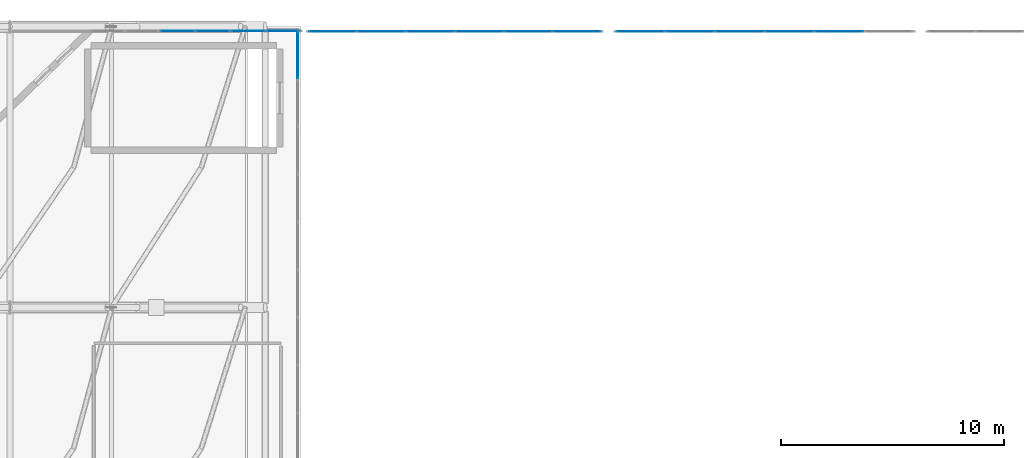
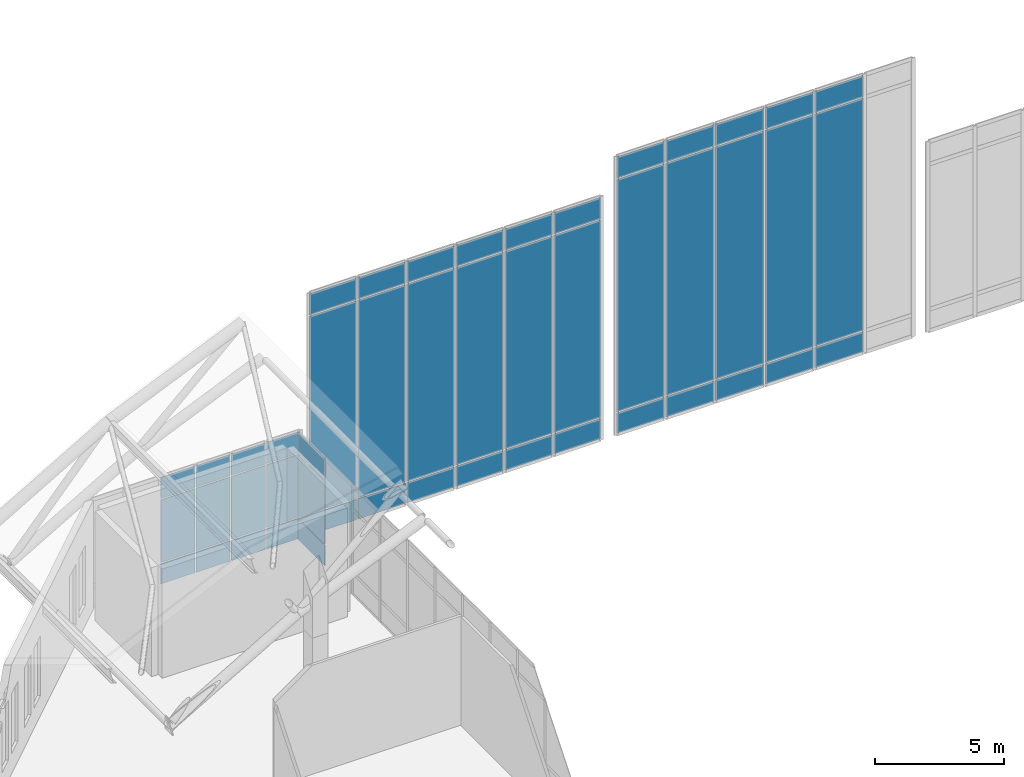
# One storey, part 30 of 42: 48 plates, 4 elements without a shape of their own.
"""IFC4 building model written with IfcOpenShell, lengths in metres."""

from ifc_helpers import new_model, si_unit, derived_unit, direction, frame, origin, origin_2d, place, context, subcontext, project, spatial, rectangle, extrude, material, layer, layer_set, type_object, element, aggregate, save


model = new_model("IFC4")

# Units and contexts
model_context = context("Model", 3, precision=1e-05, world=origin(), true_north=direction((0.0, 1.0)))
body_context = subcontext(model_context, "Body", "Model", "MODEL_VIEW")
ifc_project = project(units=[si_unit("LENGTHUNIT", "METRE"), si_unit("AREAUNIT", "SQUARE_METRE"), si_unit("VOLUMEUNIT", "CUBIC_METRE"), si_unit("PLANEANGLEUNIT", "RADIAN"), si_unit("MASSUNIT", "GRAM", prefix="KILO"), derived_unit("THERMALTRANSMITTANCEUNIT", [(si_unit("MASSUNIT", "GRAM", prefix="KILO"), 1), (si_unit("TIMEUNIT", "SECOND"), -3), (si_unit("THERMODYNAMICTEMPERATUREUNIT", "KELVIN"), -1)])], contexts=[model_context])

# Site, building, storey
site_placement = place(None, origin())
site = spatial("IfcSite", under=ifc_project, at=site_placement, CompositionType="ELEMENT")
building_placement = place(site_placement, origin())
building = spatial("IfcBuilding", under=site, at=building_placement, Name="Valcora Ridge Arena", CompositionType="ELEMENT")
storey_placement = place(building_placement, frame((0.0, 0.0, 26.39990234375)))
storey = spatial("IfcBuildingStorey", under=building, at=storey_placement, Name="L05", CompositionType="ELEMENT", Elevation=26.39990234375)

# Curtain wall, plates
ifc_material_1 = material(Name="Anodised dark bronze architectural aluminium 6063-T6", Category="aluminium")
ifc_layer_1 = layer(ifc_material_1, 0.179931640625, Name="Anodised dark bronze architectural aluminium 6063-T6")
ifc_layer_set_1 = layer_set([ifc_layer_1], Name="Anodised dark bronze architectural aluminium 6063-T6")
curtain_wall_type_1 = type_object("IfcCurtainWallType", Name="TY-CURTAINWALL-CW-V1-GOTH-095X52", PredefinedType="NOTDEFINED", material=ifc_layer_set_1)
curtain_wall_1_placement = place(storey_placement, origin())
curtain_wall_1 = element("IfcCurtainWall", 1, at=curtain_wall_1_placement, inside=storey, type_object=curtain_wall_type_1, Name="CW-V1-GOTH-095X52 CW-0170", PredefinedType="NOTDEFINED")
ifc_material_2 = material(Name="Low-iron solar-control double glazing SHGC 0.28", Category="glass")
ifc_layer_2 = layer(ifc_material_2, 0.031982421875, Name="Low-iron solar-control double glazing SHGC 0.28")
ifc_layer_set_2 = layer_set([ifc_layer_2], Name="Low-iron solar-control double glazing SHGC 0.28")
plate_type_1 = type_object("IfcPlateType", Name="TY-PLT-CWP-1493X0960", PredefinedType="CURTAIN_PANEL", material=ifc_layer_set_2)
plate_1_placement = place(storey_placement, frame((37.693603515625, 108.0, 0.06005859375), z_axis=(0.0, 0.0, 1.0), x_axis=(1.0, 0.0, 0.0)))
plate_1 = element("IfcPlate", 2, at=plate_1_placement, type_object=plate_type_1, Name="CW-0170/P05-00", PredefinedType="CURTAIN_PANEL", context=body_context, shape_type="SweptSolid", body=[
    extrude(rectangle(XDim=1.492919921875, YDim=0.031982421875, at=origin_2d()), origin(), (0.0, 0.0, 1.0), 0.9599609375),
])
ifc_layer_3 = layer(ifc_material_2, 0.031982421875, Name="Low-iron solar-control double glazing SHGC 0.28")
ifc_layer_set_3 = layer_set([ifc_layer_3], Name="Low-iron solar-control double glazing SHGC 0.28")
plate_type_2 = type_object("IfcPlateType", Name="TY-PLT-CWP-1493X1010", PredefinedType="CURTAIN_PANEL", material=ifc_layer_set_3)
plate_2_placement = place(storey_placement, frame((37.693603515625, 108.0, 4.10986328125), z_axis=(0.0, 0.0, 1.0), x_axis=(1.0, 0.0, 0.0)))
plate_2 = element("IfcPlate", 3, at=plate_2_placement, type_object=plate_type_2, Name="CW-0170/P05-02", PredefinedType="CURTAIN_PANEL", context=body_context, shape_type="SweptSolid", body=[
    extrude(rectangle(XDim=1.492919921875, YDim=0.031982421875, at=origin_2d()), origin(), (0.0, 0.0, 1.0), 1.010009765625),
])
ifc_layer_4 = layer(ifc_material_2, 0.031982421875, Name="Low-iron solar-control double glazing SHGC 0.28")
ifc_layer_set_4 = layer_set([ifc_layer_4], Name="Low-iron solar-control double glazing SHGC 0.28")
plate_type_3 = type_object("IfcPlateType", Name="TY-PLT-CWP-1493X2970", PredefinedType="CURTAIN_PANEL", material=ifc_layer_set_4)
plate_3_placement = place(storey_placement, frame((37.693603515625, 108.0, 1.080078125), z_axis=(0.0, 0.0, 1.0), x_axis=(1.0, 0.0, 0.0)))
plate_3 = element("IfcPlate", 4, at=plate_3_placement, type_object=plate_type_3, Name="CW-0170/P05-01", PredefinedType="CURTAIN_PANEL", context=body_context, shape_type="SweptSolid", body=[
    extrude(rectangle(XDim=1.492919921875, YDim=0.031982421875, at=origin_2d()), origin(), (0.0, 0.0, 1.0), 2.969970703125),
])
ifc_layer_5 = layer(ifc_material_2, 0.031982421875, Name="Low-iron solar-control double glazing SHGC 0.28")
ifc_layer_set_5 = layer_set([ifc_layer_5], Name="Low-iron solar-control double glazing SHGC 0.28")
plate_type_4 = type_object("IfcPlateType", Name="TY-PLT-CWP-1523X0960", PredefinedType="CURTAIN_PANEL", material=ifc_layer_set_5)
plate_4_placement = place(storey_placement, frame((32.95849609375, 108.0, 0.06005859375), z_axis=(0.0, 0.0, 1.0), x_axis=(1.0, 0.0, 0.0)))
plate_4 = element("IfcPlate", 5, at=plate_4_placement, type_object=plate_type_4, Name="CW-0170/P02-00", PredefinedType="CURTAIN_PANEL", context=body_context, shape_type="SweptSolid", body=[
    extrude(rectangle(XDim=1.52294921875, YDim=0.031982421875, at=origin_2d()), origin(), (0.0, 0.0, 1.0), 0.9599609375),
])
plate_5_placement = place(storey_placement, frame((34.54150390625, 108.0, 0.06005859375), z_axis=(0.0, 0.0, 1.0), x_axis=(1.0, 0.0, 0.0)))
plate_5 = element("IfcPlate", 6, at=plate_5_placement, type_object=plate_type_4, Name="CW-0170/P03-00", PredefinedType="CURTAIN_PANEL", context=body_context, shape_type="SweptSolid", body=[
    extrude(rectangle(XDim=1.52294921875, YDim=0.031982421875, at=origin_2d()), origin(), (0.0, 0.0, 1.0), 0.9599609375),
])
ifc_layer_6 = layer(ifc_material_2, 0.031982421875, Name="Low-iron solar-control double glazing SHGC 0.28")
ifc_layer_set_6 = layer_set([ifc_layer_6], Name="Low-iron solar-control double glazing SHGC 0.28")
plate_type_5 = type_object("IfcPlateType", Name="TY-PLT-CWP-1523X1010", PredefinedType="CURTAIN_PANEL", material=ifc_layer_set_6)
plate_6_placement = place(storey_placement, frame((32.95849609375, 108.0, 4.10986328125), z_axis=(0.0, 0.0, 1.0), x_axis=(1.0, 0.0, 0.0)))
plate_6 = element("IfcPlate", 7, at=plate_6_placement, type_object=plate_type_5, Name="CW-0170/P02-02", PredefinedType="CURTAIN_PANEL", context=body_context, shape_type="SweptSolid", body=[
    extrude(rectangle(XDim=1.52294921875, YDim=0.031982421875, at=origin_2d()), origin(), (0.0, 0.0, 1.0), 1.010009765625),
])
plate_7_placement = place(storey_placement, frame((34.54150390625, 108.0, 4.10986328125), z_axis=(0.0, 0.0, 1.0), x_axis=(1.0, 0.0, 0.0)))
plate_7 = element("IfcPlate", 8, at=plate_7_placement, type_object=plate_type_5, Name="CW-0170/P03-02", PredefinedType="CURTAIN_PANEL", context=body_context, shape_type="SweptSolid", body=[
    extrude(rectangle(XDim=1.52294921875, YDim=0.031982421875, at=origin_2d()), origin(), (0.0, 0.0, 1.0), 1.010009765625),
])
ifc_layer_7 = layer(ifc_material_2, 0.031982421875, Name="Low-iron solar-control double glazing SHGC 0.28")
ifc_layer_set_7 = layer_set([ifc_layer_7], Name="Low-iron solar-control double glazing SHGC 0.28")
plate_type_6 = type_object("IfcPlateType", Name="TY-PLT-CWP-1523X2970", PredefinedType="CURTAIN_PANEL", material=ifc_layer_set_7)
plate_8_placement = place(storey_placement, frame((32.95849609375, 108.0, 1.080078125), z_axis=(0.0, 0.0, 1.0), x_axis=(1.0, 0.0, 0.0)))
plate_8 = element("IfcPlate", 9, at=plate_8_placement, type_object=plate_type_6, Name="CW-0170/P02-01", PredefinedType="CURTAIN_PANEL", context=body_context, shape_type="SweptSolid", body=[
    extrude(rectangle(XDim=1.52294921875, YDim=0.031982421875, at=origin_2d()), origin(), (0.0, 0.0, 1.0), 2.969970703125),
])
plate_9_placement = place(storey_placement, frame((34.54150390625, 108.0, 1.080078125), z_axis=(0.0, 0.0, 1.0), x_axis=(1.0, 0.0, 0.0)))
plate_9 = element("IfcPlate", 10, at=plate_9_placement, type_object=plate_type_6, Name="CW-0170/P03-01", PredefinedType="CURTAIN_PANEL", context=body_context, shape_type="SweptSolid", body=[
    extrude(rectangle(XDim=1.52294921875, YDim=0.031982421875, at=origin_2d()), origin(), (0.0, 0.0, 1.0), 2.969970703125),
])
ifc_layer_8 = layer(ifc_material_2, 0.031982421875, Name="Low-iron solar-control double glazing SHGC 0.28")
ifc_layer_set_8 = layer_set([ifc_layer_8], Name="Low-iron solar-control double glazing SHGC 0.28")
plate_type_7 = type_object("IfcPlateType", Name="TY-PLT-CWP-1524X0960", PredefinedType="CURTAIN_PANEL", material=ifc_layer_set_8)
plate_10_placement = place(storey_placement, frame((36.125, 108.0, 0.06005859375), z_axis=(0.0, 0.0, 1.0), x_axis=(1.0, 0.0, 0.0)))
plate_10 = element("IfcPlate", 11, at=plate_10_placement, type_object=plate_type_7, Name="CW-0170/P04-00", PredefinedType="CURTAIN_PANEL", context=body_context, shape_type="SweptSolid", body=[
    extrude(rectangle(XDim=1.52392578125, YDim=0.031982421875, at=origin_2d()), origin(), (0.0, 0.0, 1.0), 0.9599609375),
])
ifc_layer_9 = layer(ifc_material_2, 0.031982421875, Name="Low-iron solar-control double glazing SHGC 0.28")
ifc_layer_set_9 = layer_set([ifc_layer_9], Name="Low-iron solar-control double glazing SHGC 0.28")
plate_type_8 = type_object("IfcPlateType", Name="TY-PLT-CWP-1524X1010", PredefinedType="CURTAIN_PANEL", material=ifc_layer_set_9)
plate_11_placement = place(storey_placement, frame((36.125, 108.0, 4.10986328125), z_axis=(0.0, 0.0, 1.0), x_axis=(1.0, 0.0, 0.0)))
plate_11 = element("IfcPlate", 12, at=plate_11_placement, type_object=plate_type_8, Name="CW-0170/P04-02", PredefinedType="CURTAIN_PANEL", context=body_context, shape_type="SweptSolid", body=[
    extrude(rectangle(XDim=1.52392578125, YDim=0.031982421875, at=origin_2d()), origin(), (0.0, 0.0, 1.0), 1.010009765625),
])
ifc_layer_10 = layer(ifc_material_2, 0.031982421875, Name="Low-iron solar-control double glazing SHGC 0.28")
ifc_layer_set_10 = layer_set([ifc_layer_10], Name="Low-iron solar-control double glazing SHGC 0.28")
plate_type_9 = type_object("IfcPlateType", Name="TY-PLT-CWP-1524X2970", PredefinedType="CURTAIN_PANEL", material=ifc_layer_set_10)
plate_12_placement = place(storey_placement, frame((36.125, 108.0, 1.080078125), z_axis=(0.0, 0.0, 1.0), x_axis=(1.0, 0.0, 0.0)))
plate_12 = element("IfcPlate", 13, at=plate_12_placement, type_object=plate_type_9, Name="CW-0170/P04-01", PredefinedType="CURTAIN_PANEL", context=body_context, shape_type="SweptSolid", body=[
    extrude(rectangle(XDim=1.52392578125, YDim=0.031982421875, at=origin_2d()), origin(), (0.0, 0.0, 1.0), 2.969970703125),
])
aggregate(curtain_wall_1, [plate_4, plate_8, plate_6, plate_5, plate_9, plate_7, plate_10, plate_12, plate_11, plate_1, plate_3, plate_2])

ifc_layer_11 = layer(ifc_material_1, 0.14990234375, Name="Anodised dark bronze architectural aluminium 6063-T6")
ifc_layer_set_11 = layer_set([ifc_layer_11], Name="Anodised dark bronze architectural aluminium 6063-T6")
curtain_wall_type_2 = type_object("IfcCurtainWallType", Name="TY-CURTAINWALL-CW-V1-SKY-878X52", PredefinedType="NOTDEFINED", material=ifc_layer_set_11)
curtain_wall_2_placement = place(storey_placement, origin())
curtain_wall_2 = element("IfcCurtainWall", 14, at=curtain_wall_2_placement, inside=storey, type_object=curtain_wall_type_2, Name="CW-V1-SKY-878X52 CW-0171", PredefinedType="NOTDEFINED")
ifc_layer_12 = layer(ifc_material_2, 0.028076171875, Name="Low-iron solar-control double glazing SHGC 0.28")
ifc_layer_set_12 = layer_set([ifc_layer_12], Name="Low-iron solar-control double glazing SHGC 0.28")
plate_type_10 = type_object("IfcPlateType", Name="TY-PLT-CWP-2066X0975", PredefinedType="CURTAIN_PANEL", material=ifc_layer_set_12)
plate_13_placement = place(storey_placement, frame((38.35009765625, 106.9169921875, 0.050048828125), z_axis=(0.0, 0.0, 1.0), x_axis=(0.0, 1.0, 0.0)))
plate_13 = element("IfcPlate", 15, at=plate_13_placement, type_object=plate_type_10, Name="CW-0171/P40-00", PredefinedType="CURTAIN_PANEL", context=body_context, shape_type="SweptSolid", body=[
    extrude(rectangle(XDim=2.06591796875, YDim=0.028076171875, at=origin_2d()), origin(), (0.0, 0.0, 1.0), 0.97509765625),
])
ifc_layer_13 = layer(ifc_material_2, 0.028076171875, Name="Low-iron solar-control double glazing SHGC 0.28")
ifc_layer_set_13 = layer_set([ifc_layer_13], Name="Low-iron solar-control double glazing SHGC 0.28")
plate_type_11 = type_object("IfcPlateType", Name="TY-PLT-CWP-2066X1025", PredefinedType="CURTAIN_PANEL", material=ifc_layer_set_13)
plate_14_placement = place(storey_placement, frame((38.35009765625, 106.9169921875, 4.105224609375), z_axis=(0.0, 0.0, 1.0), x_axis=(0.0, 1.0, 0.0)))
plate_14 = element("IfcPlate", 16, at=plate_14_placement, type_object=plate_type_11, Name="CW-0171/P40-02", PredefinedType="CURTAIN_PANEL", context=body_context, shape_type="SweptSolid", body=[
    extrude(rectangle(XDim=2.06591796875, YDim=0.028076171875, at=origin_2d()), origin(), (0.0, 0.0, 1.0), 1.02490234375),
])
ifc_layer_14 = layer(ifc_material_2, 0.028076171875, Name="Low-iron solar-control double glazing SHGC 0.28")
ifc_layer_set_14 = layer_set([ifc_layer_14], Name="Low-iron solar-control double glazing SHGC 0.28")
plate_type_12 = type_object("IfcPlateType", Name="TY-PLT-CWP-2066X2980", PredefinedType="CURTAIN_PANEL", material=ifc_layer_set_14)
plate_15_placement = place(storey_placement, frame((38.35009765625, 106.9169921875, 1.0751953125), z_axis=(0.0, 0.0, 1.0), x_axis=(0.0, 1.0, 0.0)))
plate_15 = element("IfcPlate", 17, at=plate_15_placement, type_object=plate_type_12, Name="CW-0171/P40-01", PredefinedType="CURTAIN_PANEL", context=body_context, shape_type="SweptSolid", body=[
    extrude(rectangle(XDim=2.06591796875, YDim=0.028076171875, at=origin_2d()), origin(), (0.0, 0.0, 1.0), 2.97998046875),
])
aggregate(curtain_wall_2, [plate_13, plate_15, plate_14])

ifc_layer_15 = layer(ifc_material_1, 0.179931640625, Name="Anodised dark bronze architectural aluminium 6063-T6")
ifc_layer_set_15 = layer_set([ifc_layer_15], Name="Anodised dark bronze architectural aluminium 6063-T6")
curtain_wall_type_3 = type_object("IfcCurtainWallType", Name="TY-CURTAINWALL-CW-V1-TYMPN-132X116", PredefinedType="NOTDEFINED", material=ifc_layer_set_15)
curtain_wall_3_placement = place(storey_placement, origin())
curtain_wall_3 = element("IfcCurtainWall", 18, at=curtain_wall_3_placement, inside=storey, type_object=curtain_wall_type_3, Name="CW-V1-TYMPN-132X116 CW-0173", PredefinedType="NOTDEFINED")
ifc_layer_16 = layer(ifc_material_2, 0.031982421875, Name="Low-iron solar-control double glazing SHGC 0.28")
ifc_layer_set_16 = layer_set([ifc_layer_16], Name="Low-iron solar-control double glazing SHGC 0.28")
plate_type_13 = type_object("IfcPlateType", Name="TY-PLT-CWP-2110X0960", PredefinedType="CURTAIN_PANEL", material=ifc_layer_set_16)
plate_16_placement = place(storey_placement, frame((39.9150390625, 107.97998046875, 0.06005859375), z_axis=(0.0, 0.0, 1.0), x_axis=(1.0, 0.0, 0.0)))
plate_16 = element("IfcPlate", 19, at=plate_16_placement, type_object=plate_type_13, Name="CW-0173/P00-00", PredefinedType="CURTAIN_PANEL", context=body_context, shape_type="SweptSolid", body=[
    extrude(rectangle(XDim=2.110107421875, YDim=0.031982421875, at=origin_2d()), origin(), (0.0, 0.0, 1.0), 0.9599609375),
])
plate_17_placement = place(storey_placement, frame((50.885009765625, 107.97998046875, 0.06005859375), z_axis=(0.0, 0.0, 1.0), x_axis=(1.0, 0.0, 0.0)))
plate_17 = element("IfcPlate", 20, at=plate_17_placement, type_object=plate_type_13, Name="CW-0173/P05-00", PredefinedType="CURTAIN_PANEL", context=body_context, shape_type="SweptSolid", body=[
    extrude(rectangle(XDim=2.110107421875, YDim=0.031982421875, at=origin_2d()), origin(), (0.0, 0.0, 1.0), 0.9599609375),
])
ifc_layer_17 = layer(ifc_material_2, 0.031982421875, Name="Low-iron solar-control double glazing SHGC 0.28")
ifc_layer_set_17 = layer_set([ifc_layer_17], Name="Low-iron solar-control double glazing SHGC 0.28")
plate_type_14 = type_object("IfcPlateType", Name="TY-PLT-CWP-2110X1010", PredefinedType="CURTAIN_PANEL", material=ifc_layer_set_17)
plate_18_placement = place(storey_placement, frame((39.9150390625, 107.97998046875, 10.50732421875), z_axis=(0.0, 0.0, 1.0), x_axis=(1.0, 0.0, 0.0)))
plate_18 = element("IfcPlate", 21, at=plate_18_placement, type_object=plate_type_14, Name="CW-0173/P00-02", PredefinedType="CURTAIN_PANEL", context=body_context, shape_type="SweptSolid", body=[
    extrude(rectangle(XDim=2.110107421875, YDim=0.031982421875, at=origin_2d()), origin(), (0.0, 0.0, 1.0), 1.010009765625),
])
plate_19_placement = place(storey_placement, frame((50.885009765625, 107.97998046875, 10.50732421875), z_axis=(0.0, 0.0, 1.0), x_axis=(1.0, 0.0, 0.0)))
plate_19 = element("IfcPlate", 22, at=plate_19_placement, type_object=plate_type_14, Name="CW-0173/P05-02", PredefinedType="CURTAIN_PANEL", context=body_context, shape_type="SweptSolid", body=[
    extrude(rectangle(XDim=2.110107421875, YDim=0.031982421875, at=origin_2d()), origin(), (0.0, 0.0, 1.0), 1.010009765625),
])
ifc_layer_18 = layer(ifc_material_2, 0.031982421875, Name="Low-iron solar-control double glazing SHGC 0.28")
ifc_layer_set_18 = layer_set([ifc_layer_18], Name="Low-iron solar-control double glazing SHGC 0.28")
plate_type_15 = type_object("IfcPlateType", Name="TY-PLT-CWP-2110X9367", PredefinedType="CURTAIN_PANEL", material=ifc_layer_set_18)
plate_20_placement = place(storey_placement, frame((39.9150390625, 107.97998046875, 1.080078125), z_axis=(0.0, 0.0, 1.0), x_axis=(1.0, 0.0, 0.0)))
plate_20 = element("IfcPlate", 23, at=plate_20_placement, type_object=plate_type_15, Name="CW-0173/P00-01", PredefinedType="CURTAIN_PANEL", context=body_context, shape_type="SweptSolid", body=[
    extrude(rectangle(XDim=2.110107421875, YDim=0.031982421875, at=origin_2d()), origin(), (0.0, 0.0, 1.0), 9.366943359375),
])
plate_21_placement = place(storey_placement, frame((50.885009765625, 107.97998046875, 1.080078125), z_axis=(0.0, 0.0, 1.0), x_axis=(1.0, 0.0, 0.0)))
plate_21 = element("IfcPlate", 24, at=plate_21_placement, type_object=plate_type_15, Name="CW-0173/P05-01", PredefinedType="CURTAIN_PANEL", context=body_context, shape_type="SweptSolid", body=[
    extrude(rectangle(XDim=2.110107421875, YDim=0.031982421875, at=origin_2d()), origin(), (0.0, 0.0, 1.0), 9.366943359375),
])
ifc_layer_19 = layer(ifc_material_2, 0.031982421875, Name="Low-iron solar-control double glazing SHGC 0.28")
ifc_layer_set_19 = layer_set([ifc_layer_19], Name="Low-iron solar-control double glazing SHGC 0.28")
plate_type_16 = type_object("IfcPlateType", Name="TY-PLT-CWP-2140X0960", PredefinedType="CURTAIN_PANEL", material=ifc_layer_set_19)
plate_22_placement = place(storey_placement, frame((42.10009765625, 107.97998046875, 0.06005859375), z_axis=(0.0, 0.0, 1.0), x_axis=(1.0, 0.0, 0.0)))
plate_22 = element("IfcPlate", 25, at=plate_22_placement, type_object=plate_type_16, Name="CW-0173/P01-00", PredefinedType="CURTAIN_PANEL", context=body_context, shape_type="SweptSolid", body=[
    extrude(rectangle(XDim=2.139892578125, YDim=0.031982421875, at=origin_2d()), origin(), (0.0, 0.0, 1.0), 0.9599609375),
])
plate_23_placement = place(storey_placement, frame((44.300048828125, 107.97998046875, 0.06005859375), z_axis=(0.0, 0.0, 1.0), x_axis=(1.0, 0.0, 0.0)))
plate_23 = element("IfcPlate", 26, at=plate_23_placement, type_object=plate_type_16, Name="CW-0173/P02-00", PredefinedType="CURTAIN_PANEL", context=body_context, shape_type="SweptSolid", body=[
    extrude(rectangle(XDim=2.139892578125, YDim=0.031982421875, at=origin_2d()), origin(), (0.0, 0.0, 1.0), 0.9599609375),
])
plate_24_placement = place(storey_placement, frame((46.5, 107.97998046875, 0.06005859375), z_axis=(0.0, 0.0, 1.0), x_axis=(1.0, 0.0, 0.0)))
plate_24 = element("IfcPlate", 27, at=plate_24_placement, type_object=plate_type_16, Name="CW-0173/P03-00", PredefinedType="CURTAIN_PANEL", context=body_context, shape_type="SweptSolid", body=[
    extrude(rectangle(XDim=2.139892578125, YDim=0.031982421875, at=origin_2d()), origin(), (0.0, 0.0, 1.0), 0.9599609375),
])
plate_25_placement = place(storey_placement, frame((48.699951171875, 107.97998046875, 0.06005859375), z_axis=(0.0, 0.0, 1.0), x_axis=(1.0, 0.0, 0.0)))
plate_25 = element("IfcPlate", 28, at=plate_25_placement, type_object=plate_type_16, Name="CW-0173/P04-00", PredefinedType="CURTAIN_PANEL", context=body_context, shape_type="SweptSolid", body=[
    extrude(rectangle(XDim=2.139892578125, YDim=0.031982421875, at=origin_2d()), origin(), (0.0, 0.0, 1.0), 0.9599609375),
])
ifc_layer_20 = layer(ifc_material_2, 0.031982421875, Name="Low-iron solar-control double glazing SHGC 0.28")
ifc_layer_set_20 = layer_set([ifc_layer_20], Name="Low-iron solar-control double glazing SHGC 0.28")
plate_type_17 = type_object("IfcPlateType", Name="TY-PLT-CWP-2140X1010", PredefinedType="CURTAIN_PANEL", material=ifc_layer_set_20)
plate_26_placement = place(storey_placement, frame((42.10009765625, 107.97998046875, 10.50732421875), z_axis=(0.0, 0.0, 1.0), x_axis=(1.0, 0.0, 0.0)))
plate_26 = element("IfcPlate", 29, at=plate_26_placement, type_object=plate_type_17, Name="CW-0173/P01-02", PredefinedType="CURTAIN_PANEL", context=body_context, shape_type="SweptSolid", body=[
    extrude(rectangle(XDim=2.139892578125, YDim=0.031982421875, at=origin_2d()), origin(), (0.0, 0.0, 1.0), 1.010009765625),
])
plate_27_placement = place(storey_placement, frame((44.300048828125, 107.97998046875, 10.50732421875), z_axis=(0.0, 0.0, 1.0), x_axis=(1.0, 0.0, 0.0)))
plate_27 = element("IfcPlate", 30, at=plate_27_placement, type_object=plate_type_17, Name="CW-0173/P02-02", PredefinedType="CURTAIN_PANEL", context=body_context, shape_type="SweptSolid", body=[
    extrude(rectangle(XDim=2.139892578125, YDim=0.031982421875, at=origin_2d()), origin(), (0.0, 0.0, 1.0), 1.010009765625),
])
plate_28_placement = place(storey_placement, frame((46.5, 107.97998046875, 10.50732421875), z_axis=(0.0, 0.0, 1.0), x_axis=(1.0, 0.0, 0.0)))
plate_28 = element("IfcPlate", 31, at=plate_28_placement, type_object=plate_type_17, Name="CW-0173/P03-02", PredefinedType="CURTAIN_PANEL", context=body_context, shape_type="SweptSolid", body=[
    extrude(rectangle(XDim=2.139892578125, YDim=0.031982421875, at=origin_2d()), origin(), (0.0, 0.0, 1.0), 1.010009765625),
])
plate_29_placement = place(storey_placement, frame((48.699951171875, 107.97998046875, 10.50732421875), z_axis=(0.0, 0.0, 1.0), x_axis=(1.0, 0.0, 0.0)))
plate_29 = element("IfcPlate", 32, at=plate_29_placement, type_object=plate_type_17, Name="CW-0173/P04-02", PredefinedType="CURTAIN_PANEL", context=body_context, shape_type="SweptSolid", body=[
    extrude(rectangle(XDim=2.139892578125, YDim=0.031982421875, at=origin_2d()), origin(), (0.0, 0.0, 1.0), 1.010009765625),
])
ifc_layer_21 = layer(ifc_material_2, 0.031982421875, Name="Low-iron solar-control double glazing SHGC 0.28")
ifc_layer_set_21 = layer_set([ifc_layer_21], Name="Low-iron solar-control double glazing SHGC 0.28")
plate_type_18 = type_object("IfcPlateType", Name="TY-PLT-CWP-2140X9367", PredefinedType="CURTAIN_PANEL", material=ifc_layer_set_21)
plate_30_placement = place(storey_placement, frame((42.10009765625, 107.97998046875, 1.080078125), z_axis=(0.0, 0.0, 1.0), x_axis=(1.0, 0.0, 0.0)))
plate_30 = element("IfcPlate", 33, at=plate_30_placement, type_object=plate_type_18, Name="CW-0173/P01-01", PredefinedType="CURTAIN_PANEL", context=body_context, shape_type="SweptSolid", body=[
    extrude(rectangle(XDim=2.139892578125, YDim=0.031982421875, at=origin_2d()), origin(), (0.0, 0.0, 1.0), 9.366943359375),
])
plate_31_placement = place(storey_placement, frame((44.300048828125, 107.97998046875, 1.080078125), z_axis=(0.0, 0.0, 1.0), x_axis=(1.0, 0.0, 0.0)))
plate_31 = element("IfcPlate", 34, at=plate_31_placement, type_object=plate_type_18, Name="CW-0173/P02-01", PredefinedType="CURTAIN_PANEL", context=body_context, shape_type="SweptSolid", body=[
    extrude(rectangle(XDim=2.139892578125, YDim=0.031982421875, at=origin_2d()), origin(), (0.0, 0.0, 1.0), 9.366943359375),
])
plate_32_placement = place(storey_placement, frame((46.5, 107.97998046875, 1.080078125), z_axis=(0.0, 0.0, 1.0), x_axis=(1.0, 0.0, 0.0)))
plate_32 = element("IfcPlate", 35, at=plate_32_placement, type_object=plate_type_18, Name="CW-0173/P03-01", PredefinedType="CURTAIN_PANEL", context=body_context, shape_type="SweptSolid", body=[
    extrude(rectangle(XDim=2.139892578125, YDim=0.031982421875, at=origin_2d()), origin(), (0.0, 0.0, 1.0), 9.366943359375),
])
plate_33_placement = place(storey_placement, frame((48.699951171875, 107.97998046875, 1.080078125), z_axis=(0.0, 0.0, 1.0), x_axis=(1.0, 0.0, 0.0)))
plate_33 = element("IfcPlate", 36, at=plate_33_placement, type_object=plate_type_18, Name="CW-0173/P04-01", PredefinedType="CURTAIN_PANEL", context=body_context, shape_type="SweptSolid", body=[
    extrude(rectangle(XDim=2.139892578125, YDim=0.031982421875, at=origin_2d()), origin(), (0.0, 0.0, 1.0), 9.366943359375),
])
aggregate(curtain_wall_3, [plate_16, plate_20, plate_18, plate_22, plate_30, plate_26, plate_23, plate_31, plate_27, plate_24, plate_32, plate_28, plate_25, plate_33, plate_29, plate_17, plate_21, plate_19])

ifc_layer_22 = layer(ifc_material_1, 0.179931640625, Name="Anodised dark bronze architectural aluminium 6063-T6")
ifc_layer_set_22 = layer_set([ifc_layer_22], Name="Anodised dark bronze architectural aluminium 6063-T6")
curtain_wall_type_4 = type_object("IfcCurtainWallType", Name="TY-CURTAINWALL-CW-V1-TYMPN-134X132", PredefinedType="NOTDEFINED", material=ifc_layer_set_22)
curtain_wall_4_placement = place(storey_placement, origin())
curtain_wall_4 = element("IfcCurtainWall", 37, at=curtain_wall_4_placement, inside=storey, type_object=curtain_wall_type_4, Name="CW-V1-TYMPN-134X132 CW-0175", PredefinedType="NOTDEFINED")
ifc_layer_23 = layer(ifc_material_2, 0.031982421875, Name="Low-iron solar-control double glazing SHGC 0.28")
ifc_layer_set_23 = layer_set([ifc_layer_23], Name="Low-iron solar-control double glazing SHGC 0.28")
plate_type_19 = type_object("IfcPlateType", Name="TY-PLT-CWP-2143X0960", PredefinedType="CURTAIN_PANEL", material=ifc_layer_set_23)
plate_34_placement = place(storey_placement, frame((53.7314453125, 107.97998046875, 0.06005859375), z_axis=(0.0, 0.0, 1.0), x_axis=(1.0, 0.0, 0.0)))
plate_34 = element("IfcPlate", 38, at=plate_34_placement, type_object=plate_type_19, Name="CW-0175/P00-00", PredefinedType="CURTAIN_PANEL", context=body_context, shape_type="SweptSolid", body=[
    extrude(rectangle(XDim=2.14306640625, YDim=0.031982421875, at=origin_2d()), origin(), (0.0, 0.0, 1.0), 0.9599609375),
])
ifc_layer_24 = layer(ifc_material_2, 0.031982421875, Name="Low-iron solar-control double glazing SHGC 0.28")
ifc_layer_set_24 = layer_set([ifc_layer_24], Name="Low-iron solar-control double glazing SHGC 0.28")
plate_type_20 = type_object("IfcPlateType", Name="TY-PLT-CWP-2143X1010", PredefinedType="CURTAIN_PANEL", material=ifc_layer_set_24)
plate_35_placement = place(storey_placement, frame((53.7314453125, 107.97998046875, 12.169921875), z_axis=(0.0, 0.0, 1.0), x_axis=(1.0, 0.0, 0.0)))
plate_35 = element("IfcPlate", 39, at=plate_35_placement, type_object=plate_type_20, Name="CW-0175/P00-02", PredefinedType="CURTAIN_PANEL", context=body_context, shape_type="SweptSolid", body=[
    extrude(rectangle(XDim=2.14306640625, YDim=0.031982421875, at=origin_2d()), origin(), (0.0, 0.0, 1.0), 1.010009765625),
])
ifc_layer_25 = layer(ifc_material_2, 0.031982421875, Name="Low-iron solar-control double glazing SHGC 0.28")
ifc_layer_set_25 = layer_set([ifc_layer_25], Name="Low-iron solar-control double glazing SHGC 0.28")
plate_type_21 = type_object("IfcPlateType", Name="TY-PLT-CWP-2143X11030", PredefinedType="CURTAIN_PANEL", material=ifc_layer_set_25)
plate_36_placement = place(storey_placement, frame((53.7314453125, 107.97998046875, 1.080078125), z_axis=(0.0, 0.0, 1.0), x_axis=(1.0, 0.0, 0.0)))
plate_36 = element("IfcPlate", 40, at=plate_36_placement, type_object=plate_type_21, Name="CW-0175/P00-01", PredefinedType="CURTAIN_PANEL", context=body_context, shape_type="SweptSolid", body=[
    extrude(rectangle(XDim=2.14306640625, YDim=0.031982421875, at=origin_2d()), origin(), (0.0, 0.0, 1.0), 11.030029296875),
])
ifc_layer_26 = layer(ifc_material_2, 0.031982421875, Name="Low-iron solar-control double glazing SHGC 0.28")
ifc_layer_set_26 = layer_set([ifc_layer_26], Name="Low-iron solar-control double glazing SHGC 0.28")
plate_type_22 = type_object("IfcPlateType", Name="TY-PLT-CWP-2173X0960", PredefinedType="CURTAIN_PANEL", material=ifc_layer_set_26)
plate_37_placement = place(storey_placement, frame((58.18359375, 107.97998046875, 0.06005859375), z_axis=(0.0, 0.0, 1.0), x_axis=(1.0, 0.0, 0.0)))
plate_37 = element("IfcPlate", 41, at=plate_37_placement, type_object=plate_type_22, Name="CW-0175/P02-00", PredefinedType="CURTAIN_PANEL", context=body_context, shape_type="SweptSolid", body=[
    extrude(rectangle(XDim=2.173095703125, YDim=0.031982421875, at=origin_2d()), origin(), (0.0, 0.0, 1.0), 0.9599609375),
])
plate_38_placement = place(storey_placement, frame((60.41650390625, 107.97998046875, 0.06005859375), z_axis=(0.0, 0.0, 1.0), x_axis=(1.0, 0.0, 0.0)))
plate_38 = element("IfcPlate", 42, at=plate_38_placement, type_object=plate_type_22, Name="CW-0175/P03-00", PredefinedType="CURTAIN_PANEL", context=body_context, shape_type="SweptSolid", body=[
    extrude(rectangle(XDim=2.173095703125, YDim=0.031982421875, at=origin_2d()), origin(), (0.0, 0.0, 1.0), 0.9599609375),
])
ifc_layer_27 = layer(ifc_material_2, 0.031982421875, Name="Low-iron solar-control double glazing SHGC 0.28")
ifc_layer_set_27 = layer_set([ifc_layer_27], Name="Low-iron solar-control double glazing SHGC 0.28")
plate_type_23 = type_object("IfcPlateType", Name="TY-PLT-CWP-2173X1010", PredefinedType="CURTAIN_PANEL", material=ifc_layer_set_27)
plate_39_placement = place(storey_placement, frame((58.18359375, 107.97998046875, 12.169921875), z_axis=(0.0, 0.0, 1.0), x_axis=(1.0, 0.0, 0.0)))
plate_39 = element("IfcPlate", 43, at=plate_39_placement, type_object=plate_type_23, Name="CW-0175/P02-02", PredefinedType="CURTAIN_PANEL", context=body_context, shape_type="SweptSolid", body=[
    extrude(rectangle(XDim=2.173095703125, YDim=0.031982421875, at=origin_2d()), origin(), (0.0, 0.0, 1.0), 1.010009765625),
])
plate_40_placement = place(storey_placement, frame((60.41650390625, 107.97998046875, 12.169921875), z_axis=(0.0, 0.0, 1.0), x_axis=(1.0, 0.0, 0.0)))
plate_40 = element("IfcPlate", 44, at=plate_40_placement, type_object=plate_type_23, Name="CW-0175/P03-02", PredefinedType="CURTAIN_PANEL", context=body_context, shape_type="SweptSolid", body=[
    extrude(rectangle(XDim=2.173095703125, YDim=0.031982421875, at=origin_2d()), origin(), (0.0, 0.0, 1.0), 1.010009765625),
])
ifc_layer_28 = layer(ifc_material_2, 0.031982421875, Name="Low-iron solar-control double glazing SHGC 0.28")
ifc_layer_set_28 = layer_set([ifc_layer_28], Name="Low-iron solar-control double glazing SHGC 0.28")
plate_type_24 = type_object("IfcPlateType", Name="TY-PLT-CWP-2173X11030", PredefinedType="CURTAIN_PANEL", material=ifc_layer_set_28)
plate_41_placement = place(storey_placement, frame((58.18359375, 107.97998046875, 1.080078125), z_axis=(0.0, 0.0, 1.0), x_axis=(1.0, 0.0, 0.0)))
plate_41 = element("IfcPlate", 45, at=plate_41_placement, type_object=plate_type_24, Name="CW-0175/P02-01", PredefinedType="CURTAIN_PANEL", context=body_context, shape_type="SweptSolid", body=[
    extrude(rectangle(XDim=2.173095703125, YDim=0.031982421875, at=origin_2d()), origin(), (0.0, 0.0, 1.0), 11.030029296875),
])
plate_42_placement = place(storey_placement, frame((60.41650390625, 107.97998046875, 1.080078125), z_axis=(0.0, 0.0, 1.0), x_axis=(1.0, 0.0, 0.0)))
plate_42 = element("IfcPlate", 46, at=plate_42_placement, type_object=plate_type_24, Name="CW-0175/P03-01", PredefinedType="CURTAIN_PANEL", context=body_context, shape_type="SweptSolid", body=[
    extrude(rectangle(XDim=2.173095703125, YDim=0.031982421875, at=origin_2d()), origin(), (0.0, 0.0, 1.0), 11.030029296875),
])
ifc_layer_29 = layer(ifc_material_2, 0.031982421875, Name="Low-iron solar-control double glazing SHGC 0.28")
ifc_layer_set_29 = layer_set([ifc_layer_29], Name="Low-iron solar-control double glazing SHGC 0.28")
plate_type_25 = type_object("IfcPlateType", Name="TY-PLT-CWP-2174X0960", PredefinedType="CURTAIN_PANEL", material=ifc_layer_set_29)
plate_43_placement = place(storey_placement, frame((55.949951171875, 107.97998046875, 0.06005859375), z_axis=(0.0, 0.0, 1.0), x_axis=(1.0, 0.0, 0.0)))
plate_43 = element("IfcPlate", 47, at=plate_43_placement, type_object=plate_type_25, Name="CW-0175/P01-00", PredefinedType="CURTAIN_PANEL", context=body_context, shape_type="SweptSolid", body=[
    extrude(rectangle(XDim=2.174072265625, YDim=0.031982421875, at=origin_2d()), origin(), (0.0, 0.0, 1.0), 0.9599609375),
])
plate_44_placement = place(storey_placement, frame((62.64990234375, 107.97998046875, 0.06005859375), z_axis=(0.0, 0.0, 1.0), x_axis=(1.0, 0.0, 0.0)))
plate_44 = element("IfcPlate", 48, at=plate_44_placement, type_object=plate_type_25, Name="CW-0175/P04-00", PredefinedType="CURTAIN_PANEL", context=body_context, shape_type="SweptSolid", body=[
    extrude(rectangle(XDim=2.174072265625, YDim=0.031982421875, at=origin_2d()), origin(), (0.0, 0.0, 1.0), 0.9599609375),
])
ifc_layer_30 = layer(ifc_material_2, 0.031982421875, Name="Low-iron solar-control double glazing SHGC 0.28")
ifc_layer_set_30 = layer_set([ifc_layer_30], Name="Low-iron solar-control double glazing SHGC 0.28")
plate_type_26 = type_object("IfcPlateType", Name="TY-PLT-CWP-2174X1010", PredefinedType="CURTAIN_PANEL", material=ifc_layer_set_30)
plate_45_placement = place(storey_placement, frame((55.949951171875, 107.97998046875, 12.169921875), z_axis=(0.0, 0.0, 1.0), x_axis=(1.0, 0.0, 0.0)))
plate_45 = element("IfcPlate", 49, at=plate_45_placement, type_object=plate_type_26, Name="CW-0175/P01-02", PredefinedType="CURTAIN_PANEL", context=body_context, shape_type="SweptSolid", body=[
    extrude(rectangle(XDim=2.174072265625, YDim=0.031982421875, at=origin_2d()), origin(), (0.0, 0.0, 1.0), 1.010009765625),
])
plate_46_placement = place(storey_placement, frame((62.64990234375, 107.97998046875, 12.169921875), z_axis=(0.0, 0.0, 1.0), x_axis=(1.0, 0.0, 0.0)))
plate_46 = element("IfcPlate", 50, at=plate_46_placement, type_object=plate_type_26, Name="CW-0175/P04-02", PredefinedType="CURTAIN_PANEL", context=body_context, shape_type="SweptSolid", body=[
    extrude(rectangle(XDim=2.174072265625, YDim=0.031982421875, at=origin_2d()), origin(), (0.0, 0.0, 1.0), 1.010009765625),
])
ifc_layer_31 = layer(ifc_material_2, 0.031982421875, Name="Low-iron solar-control double glazing SHGC 0.28")
ifc_layer_set_31 = layer_set([ifc_layer_31], Name="Low-iron solar-control double glazing SHGC 0.28")
plate_type_27 = type_object("IfcPlateType", Name="TY-PLT-CWP-2174X11030", PredefinedType="CURTAIN_PANEL", material=ifc_layer_set_31)
plate_47_placement = place(storey_placement, frame((55.949951171875, 107.97998046875, 1.080078125), z_axis=(0.0, 0.0, 1.0), x_axis=(1.0, 0.0, 0.0)))
plate_47 = element("IfcPlate", 51, at=plate_47_placement, type_object=plate_type_27, Name="CW-0175/P01-01", PredefinedType="CURTAIN_PANEL", context=body_context, shape_type="SweptSolid", body=[
    extrude(rectangle(XDim=2.174072265625, YDim=0.031982421875, at=origin_2d()), origin(), (0.0, 0.0, 1.0), 11.030029296875),
])
plate_48_placement = place(storey_placement, frame((62.64990234375, 107.97998046875, 1.080078125), z_axis=(0.0, 0.0, 1.0), x_axis=(1.0, 0.0, 0.0)))
plate_48 = element("IfcPlate", 52, at=plate_48_placement, type_object=plate_type_27, Name="CW-0175/P04-01", PredefinedType="CURTAIN_PANEL", context=body_context, shape_type="SweptSolid", body=[
    extrude(rectangle(XDim=2.174072265625, YDim=0.031982421875, at=origin_2d()), origin(), (0.0, 0.0, 1.0), 11.030029296875),
])
aggregate(curtain_wall_4, [plate_34, plate_36, plate_35, plate_43, plate_47, plate_45, plate_37, plate_41, plate_39, plate_38, plate_42, plate_40, plate_44, plate_48, plate_46])

save(model, "model.ifc")
